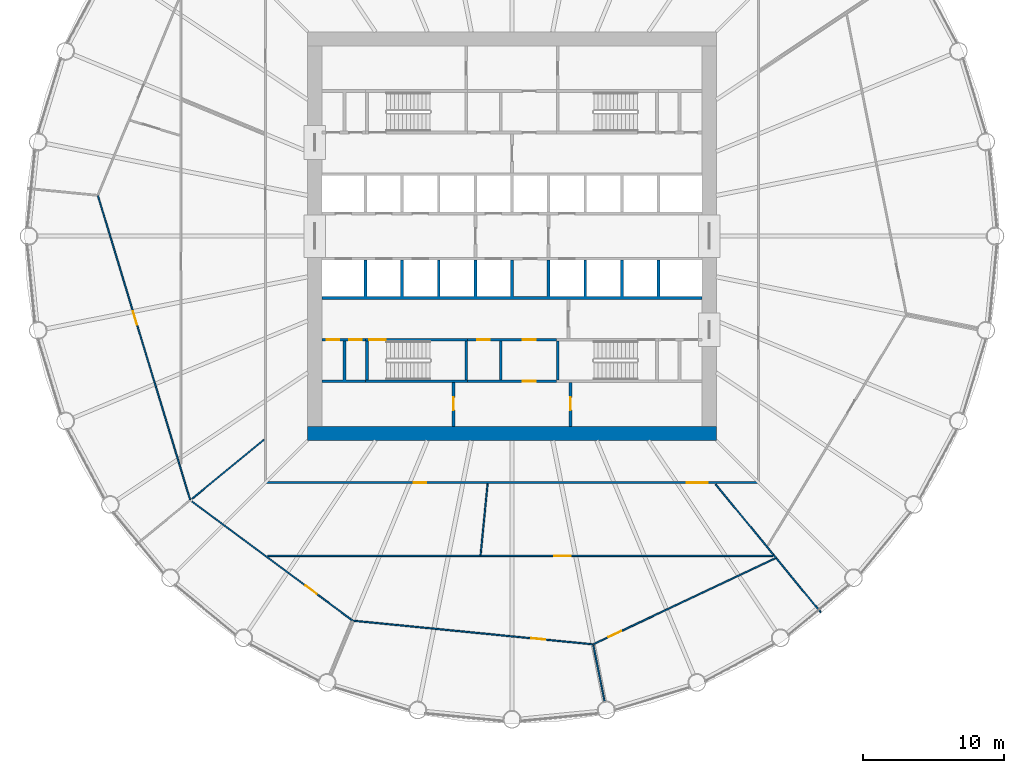
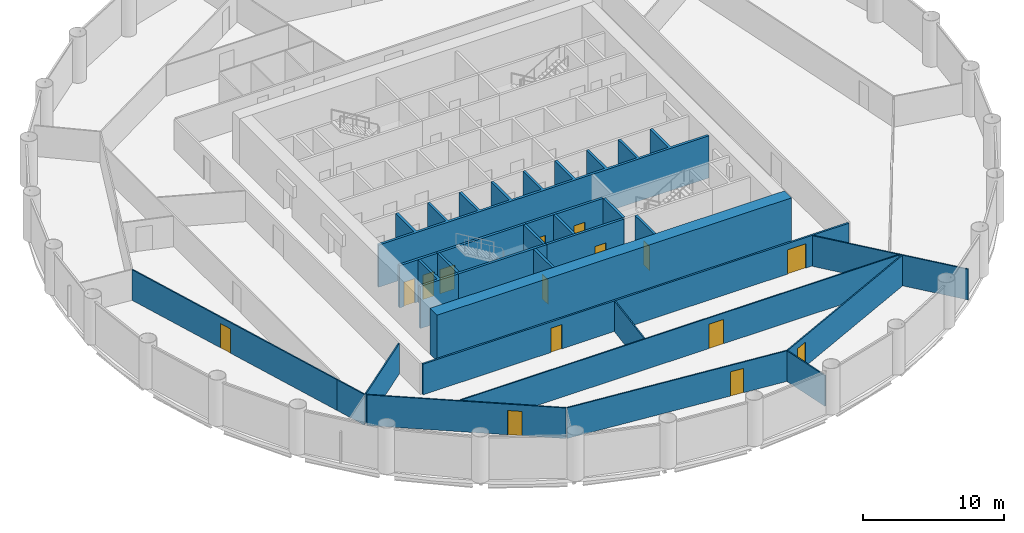
# One storey, part 4 of 8: 27 walls, 15 doors, 15 openings.
"""IFC4 building model written with IfcOpenShell, lengths in metres."""

from ifc_helpers import new_model, si_unit, direction, frame, frame_2d, origin, place, context, subcontext, project, spatial, polyline, rectangle, outline, extrude, material, layer, layer_set, type_object, element, fill, save


model = new_model("IFC4")

# Units and contexts
model_context = context("Model", 3, precision=1e-05, world=origin(), true_north=direction((0.0, 1.0)))
body_context = subcontext(model_context, "Body", "Model", "MODEL_VIEW")
ifc_project = project(units=[si_unit("LENGTHUNIT", "METRE"), si_unit("AREAUNIT", "SQUARE_METRE"), si_unit("VOLUMEUNIT", "CUBIC_METRE"), si_unit("PLANEANGLEUNIT", "RADIAN"), si_unit("MASSUNIT", "GRAM", prefix="KILO")], contexts=[model_context])

# Site, building, storey
site_placement = place(None, origin())
site = spatial("IfcSite", under=ifc_project, at=site_placement, CompositionType="ELEMENT")
building_placement = place(site_placement, origin())
building = spatial("IfcBuilding", under=site, at=building_placement, Name="Corvane Civic Tower", CompositionType="ELEMENT")
storey_placement = place(building_placement, frame((0.0, 0.0, 134.5)))
storey = spatial("IfcBuildingStorey", under=building, at=storey_placement, Name="L31", CompositionType="ELEMENT", Elevation=134.5)

# Wall
ifc_material_1 = material(Name="Concrete C70/85", Category="concrete")
ifc_layer_1 = layer(ifc_material_1, 1.0)
ifc_layer_set_1 = layer_set([ifc_layer_1], Name="Concrete C70/85")
wall_type_1 = type_object("IfcWallType", Name="CORE WALL 1000 C70/85", PredefinedType="SHEAR", material=ifc_layer_set_1)
wall_1_placement = place(storey_placement, frame((-14.5, -14.0, 0.0), z_axis=(0.0, 0.0, 1.0), x_axis=(1.0, 0.0, 0.0)))
element("IfcWall", 1, at=wall_1_placement, inside=storey, type_object=wall_type_1, Name="W-L31-core-S", PredefinedType="SHEAR", context=body_context, shape_type="SweptSolid", body=[
    extrude(rectangle(XDim=29.0, YDim=1.0, at=frame_2d((14.5, 0.0))), origin(), (0.0, 0.0, 1.0), 4.0),
])

# Wall, opening, door
ifc_material_2 = material(Name="Concrete C30/37", Category="concrete")
ifc_layer_2 = layer(ifc_material_2, 0.199951171875)
ifc_layer_set_2 = layer_set([ifc_layer_2], Name="Concrete C30/37")
wall_type_2 = type_object("IfcWallType", Name="CR-WALL-200", PredefinedType="PARTITIONING", material=ifc_layer_set_2)
wall_2_placement = place(storey_placement, frame((-3.14990234375, -10.300048828125, 0.0), z_axis=(0.0, 0.0, 1.0), x_axis=(1.0, 0.0, 0.0)))
wall_2 = element("IfcWall", 2, at=wall_2_placement, inside=storey, type_object=wall_type_2, Name="L31 partition wall", PredefinedType="PARTITIONING", context=body_context, shape_type="SweptSolid", body=[
    extrude(rectangle(XDim=6.2998046875, YDim=0.199951171875, at=frame_2d((3.14990234375, 0.0))), origin(), (0.0, 0.0, 1.0), 3.64990234375),
])
opening_1_placement = place(wall_2_placement, frame((3.925048828125, 0.0, 0.0)))
opening_1 = element("IfcOpeningElement", 3, at=opening_1_placement, cuts=wall_2, Name="Opening L31.C10", PredefinedType="OPENING", context=body_context, shape_type="SweptSolid", body=[
    extrude(rectangle(XDim=0.89990234375, YDim=2.10009765625, at=frame_2d((0.449951171875, 1.050048828125))), frame((0.0, 0.10986328125, 0.0), z_axis=(0.0, -1.0, 0.0), x_axis=(1.0, 0.0, 0.0)), (0.0, 0.0, 1.0), 0.219970703125),
])
ifc_material_3 = material(Name="Steel fire door leaf", Category="steel")
door_type_1 = type_object("IfcDoorType", Name="CR-DOOR-900", OperationType="SINGLE_SWING_LEFT", PredefinedType="DOOR", material=ifc_material_3)
door_1_placement = place(opening_1_placement, origin())
door_1 = element("IfcDoor", 4, at=door_1_placement, inside=storey, type_object=door_type_1, Name="L31 door", OperationType="SINGLE_SWING_LEFT", OverallHeight=2.10009765625, OverallWidth=0.89990234375, PredefinedType="DOOR", context=body_context, shape_type="SweptSolid", body=[
    extrude(rectangle(XDim=0.89990234375, YDim=2.10009765625, at=frame_2d((0.449951171875, 1.050048828125))), frame((0.0, 0.02490234375, 0.0), z_axis=(0.0, -1.0, 0.0), x_axis=(1.0, 0.0, 0.0)), (0.0, 0.0, 1.0), 0.050048828125),
])
fill(opening_1, door_1)

# Wall, openings, doors
wall_3_placement = place(storey_placement, frame((-13.5, -7.35009765625, 0.0), z_axis=(0.0, 0.0, 1.0), x_axis=(1.0, 0.0, 0.0)))
wall_3 = element("IfcWall", 5, at=wall_3_placement, inside=storey, type_object=wall_type_2, Name="L31 core partition wall", PredefinedType="PARTITIONING", context=body_context, shape_type="SweptSolid", body=[
    extrude(rectangle(XDim=3.10009765625, YDim=0.199951171875, at=frame_2d((1.550048828125, 0.0))), origin(), (0.0, 0.0, 1.0), 3.64990234375),
])
opening_2_placement = place(wall_3_placement, frame((0.35009765625, 0.0, 0.0)))
opening_2 = element("IfcOpeningElement", 6, at=opening_2_placement, cuts=wall_3, Name="Opening L31.C14", PredefinedType="OPENING", context=body_context, shape_type="SweptSolid", body=[
    extrude(rectangle(XDim=0.89990234375, YDim=2.10009765625, at=frame_2d((0.449951171875, 1.050048828125))), frame((0.0, 0.10986328125, 0.0), z_axis=(0.0, -1.0, 0.0), x_axis=(1.0, 0.0, 0.0)), (0.0, 0.0, 1.0), 0.219970703125),
])
opening_3_placement = place(wall_3_placement, frame((1.949951171875, 0.0, 0.0)))
opening_3 = element("IfcOpeningElement", 7, at=opening_3_placement, cuts=wall_3, Name="Opening L31.C15", PredefinedType="OPENING", context=body_context, shape_type="SweptSolid", body=[
    extrude(rectangle(XDim=0.89990234375, YDim=2.10009765625, at=frame_2d((0.449951171875, 1.050048828125))), frame((0.0, 0.10986328125, 0.0), z_axis=(0.0, -1.0, 0.0), x_axis=(1.0, 0.0, 0.0)), (0.0, 0.0, 1.0), 0.219970703125),
])
door_2_placement = place(opening_2_placement, origin())
door_2 = element("IfcDoor", 8, at=door_2_placement, inside=storey, type_object=door_type_1, Name="L31 door", OperationType="SINGLE_SWING_LEFT", OverallHeight=2.10009765625, OverallWidth=0.89990234375, PredefinedType="DOOR", context=body_context, shape_type="SweptSolid", body=[
    extrude(rectangle(XDim=0.89990234375, YDim=2.10009765625, at=frame_2d((0.449951171875, 1.050048828125))), frame((0.0, 0.02490234375, 0.0), z_axis=(0.0, -1.0, 0.0), x_axis=(1.0, 0.0, 0.0)), (0.0, 0.0, 1.0), 0.050048828125),
])
fill(opening_2, door_2)
door_3_placement = place(opening_3_placement, origin())
door_3 = element("IfcDoor", 9, at=door_3_placement, inside=storey, type_object=door_type_1, Name="L31 door", OperationType="SINGLE_SWING_LEFT", OverallHeight=2.10009765625, OverallWidth=0.89990234375, PredefinedType="DOOR", context=body_context, shape_type="SweptSolid", body=[
    extrude(rectangle(XDim=0.89990234375, YDim=2.10009765625, at=frame_2d((0.449951171875, 1.050048828125))), frame((0.0, 0.02490234375, 0.0), z_axis=(0.0, -1.0, 0.0), x_axis=(1.0, 0.0, 0.0)), (0.0, 0.0, 1.0), 0.050048828125),
])
fill(opening_3, door_3)

wall_4_placement = place(storey_placement, frame((-3.14990234375, -7.35009765625, 0.0), z_axis=(0.0, 0.0, 1.0), x_axis=(1.0, 0.0, 0.0)))
wall_4 = element("IfcWall", 10, at=wall_4_placement, inside=storey, type_object=wall_type_2, Name="L31 core partition wall", PredefinedType="PARTITIONING", context=body_context, shape_type="SweptSolid", body=[
    extrude(rectangle(XDim=6.2998046875, YDim=0.199951171875, at=frame_2d((3.14990234375, 0.0))), origin(), (0.0, 0.0, 1.0), 3.64990234375),
])
opening_4_placement = place(wall_4_placement, frame((0.675048828125, 0.0, 0.0)))
opening_4 = element("IfcOpeningElement", 11, at=opening_4_placement, cuts=wall_4, Name="Opening L31.C04", PredefinedType="OPENING", context=body_context, shape_type="SweptSolid", body=[
    extrude(rectangle(XDim=0.89990234375, YDim=2.10009765625, at=frame_2d((0.449951171875, 1.050048828125))), frame((0.0, 0.10986328125, 0.0), z_axis=(0.0, -1.0, 0.0), x_axis=(1.0, 0.0, 0.0)), (0.0, 0.0, 1.0), 0.219970703125),
])
opening_5_placement = place(wall_4_placement, frame((3.925048828125, 0.0, 0.0)))
opening_5 = element("IfcOpeningElement", 12, at=opening_5_placement, cuts=wall_4, Name="Opening L31.C05", PredefinedType="OPENING", context=body_context, shape_type="SweptSolid", body=[
    extrude(rectangle(XDim=0.89990234375, YDim=2.10009765625, at=frame_2d((0.449951171875, 1.050048828125))), frame((0.0, 0.10986328125, 0.0), z_axis=(0.0, -1.0, 0.0), x_axis=(1.0, 0.0, 0.0)), (0.0, 0.0, 1.0), 0.219970703125),
])
door_4_placement = place(opening_4_placement, origin())
door_4 = element("IfcDoor", 13, at=door_4_placement, inside=storey, type_object=door_type_1, Name="L31 door", OperationType="SINGLE_SWING_LEFT", OverallHeight=2.10009765625, OverallWidth=0.89990234375, PredefinedType="DOOR", context=body_context, shape_type="SweptSolid", body=[
    extrude(rectangle(XDim=0.89990234375, YDim=2.10009765625, at=frame_2d((0.449951171875, 1.050048828125))), frame((0.0, 0.02490234375, 0.0), z_axis=(0.0, -1.0, 0.0), x_axis=(1.0, 0.0, 0.0)), (0.0, 0.0, 1.0), 0.050048828125),
])
fill(opening_4, door_4)
door_5_placement = place(opening_5_placement, origin())
door_5 = element("IfcDoor", 14, at=door_5_placement, inside=storey, type_object=door_type_1, Name="L31 door", OperationType="SINGLE_SWING_LEFT", OverallHeight=2.10009765625, OverallWidth=0.89990234375, PredefinedType="DOOR", context=body_context, shape_type="SweptSolid", body=[
    extrude(rectangle(XDim=0.89990234375, YDim=2.10009765625, at=frame_2d((0.449951171875, 1.050048828125))), frame((0.0, 0.02490234375, 0.0), z_axis=(0.0, -1.0, 0.0), x_axis=(1.0, 0.0, 0.0)), (0.0, 0.0, 1.0), 0.050048828125),
])
fill(opening_5, door_5)

# Wall, opening, door
wall_5_placement = place(storey_placement, frame((-4.14990234375, -13.5, 0.0), z_axis=(0.0, 0.0, 1.0), x_axis=(0.0, 1.0, 0.0)))
wall_5 = element("IfcWall", 15, at=wall_5_placement, inside=storey, type_object=wall_type_2, Name="L31 partition wall", PredefinedType="PARTITIONING", context=body_context, shape_type="SweptSolid", body=[
    extrude(rectangle(XDim=3.10009765625, YDim=0.199951171875, at=frame_2d((1.550048828125, 0.0))), origin(), (0.0, 0.0, 1.0), 3.64990234375),
])
opening_6_placement = place(wall_5_placement, frame((1.14990234375, 0.0, 0.0)))
opening_6 = element("IfcOpeningElement", 16, at=opening_6_placement, cuts=wall_5, Name="Opening L31.C09", PredefinedType="OPENING", context=body_context, shape_type="SweptSolid", body=[
    extrude(rectangle(XDim=0.89990234375, YDim=2.10009765625, at=frame_2d((0.449951171875, 1.050048828125))), frame((0.0, 0.10986328125, 0.0), z_axis=(0.0, -1.0, 0.0), x_axis=(1.0, 0.0, 0.0)), (0.0, 0.0, 1.0), 0.219970703125),
])
door_6_placement = place(opening_6_placement, origin())
door_6 = element("IfcDoor", 17, at=door_6_placement, inside=storey, type_object=door_type_1, Name="L31 door", OperationType="SINGLE_SWING_LEFT", OverallHeight=2.10009765625, OverallWidth=0.89990234375, PredefinedType="DOOR", context=body_context, shape_type="SweptSolid", body=[
    extrude(rectangle(XDim=0.89990234375, YDim=2.10009765625, at=frame_2d((0.449951171875, 1.050048828125))), frame((0.0, 0.02490234375, 0.0), z_axis=(0.0, -1.0, 0.0), x_axis=(1.0, 0.0, 0.0)), (0.0, 0.0, 1.0), 0.050048828125),
])
fill(opening_6, door_6)

wall_6_placement = place(storey_placement, frame((4.14990234375, -13.5, 0.0), z_axis=(0.0, 0.0, 1.0), x_axis=(0.0, 1.0, 0.0)))
wall_6 = element("IfcWall", 18, at=wall_6_placement, inside=storey, type_object=wall_type_2, Name="L31 partition wall", PredefinedType="PARTITIONING", context=body_context, shape_type="SweptSolid", body=[
    extrude(rectangle(XDim=3.10009765625, YDim=0.199951171875, at=frame_2d((1.550048828125, 0.0))), origin(), (0.0, 0.0, 1.0), 3.64990234375),
])
opening_7_placement = place(wall_6_placement, frame((1.14990234375, 0.0, 0.0)))
opening_7 = element("IfcOpeningElement", 19, at=opening_7_placement, cuts=wall_6, Name="Opening L31.C11", PredefinedType="OPENING", context=body_context, shape_type="SweptSolid", body=[
    extrude(rectangle(XDim=0.89990234375, YDim=2.10009765625, at=frame_2d((0.449951171875, 1.050048828125))), frame((0.0, 0.10986328125, 0.0), z_axis=(0.0, -1.0, 0.0), x_axis=(1.0, 0.0, 0.0)), (0.0, 0.0, 1.0), 0.219970703125),
])
door_7_placement = place(opening_7_placement, origin())
door_7 = element("IfcDoor", 20, at=door_7_placement, inside=storey, type_object=door_type_1, Name="L31 door", OperationType="SINGLE_SWING_LEFT", OverallHeight=2.10009765625, OverallWidth=0.89990234375, PredefinedType="DOOR", context=body_context, shape_type="SweptSolid", body=[
    extrude(rectangle(XDim=0.89990234375, YDim=2.10009765625, at=frame_2d((0.449951171875, 1.050048828125))), frame((0.0, 0.02490234375, 0.0), z_axis=(0.0, -1.0, 0.0), x_axis=(1.0, 0.0, 0.0)), (0.0, 0.0, 1.0), 0.050048828125),
])
fill(opening_7, door_7)

# Walls
wall_7_placement = place(storey_placement, origin())
element("IfcWall", 21, at=wall_7_placement, inside=storey, type_object=wall_type_2, Name="L31 core partition wall", PredefinedType="PARTITIONING", context=body_context, shape_type="SweptSolid", body=[
    extrude(outline(polyline([(-12.0, -7.449951171875), (-11.800048828125, -7.449951171875), (-11.800048828125, -10.199951171875), (-10.39990234375, -10.199951171875), (-10.39990234375, -10.39990234375), (-13.5, -10.39990234375), (-13.5, -10.199951171875), (-12.0, -10.199951171875), (-12.0, -7.449951171875)])), origin(), (0.0, 0.0, 1.0), 3.64990234375),
])
wall_8_placement = place(storey_placement, origin())
element("IfcWall", 22, at=wall_8_placement, inside=storey, type_object=wall_type_2, Name="L31 core partition wall", PredefinedType="PARTITIONING", context=body_context, shape_type="SweptSolid", body=[
    extrude(outline(polyline([(-0.699951171875, -10.199951171875), (-0.89990234375, -10.199951171875), (-0.89990234375, -7.449951171875), (-0.699951171875, -7.449951171875), (-0.699951171875, -10.199951171875)])), origin(), (0.0, 0.0, 1.0), 3.64990234375),
])
wall_9_placement = place(storey_placement, origin())
element("IfcWall", 23, at=wall_9_placement, inside=storey, type_object=wall_type_2, Name="L31 core partition wall", PredefinedType="PARTITIONING", context=body_context, shape_type="SweptSolid", body=[
    extrude(outline(polyline([(-10.300048828125, -1.699951171875), (-10.300048828125, -4.300048828125), (-7.89990234375, -4.300048828125), (-7.89990234375, -1.699951171875), (-7.699951171875, -1.699951171875), (-7.699951171875, -4.300048828125), (-5.300048828125, -4.300048828125), (-5.300048828125, -1.699951171875), (-5.10009765625, -1.699951171875), (-5.10009765625, -4.300048828125), (-2.699951171875, -4.300048828125), (-2.699951171875, -1.699951171875), (-2.5, -1.699951171875), (-2.5, -4.300048828125), (-0.10009765625, -4.300048828125), (-0.10009765625, -1.699951171875), (0.10009765625, -1.699951171875), (0.10009765625, -4.300048828125), (2.5, -4.300048828125), (2.5, -1.699951171875), (2.699951171875, -1.699951171875), (2.699951171875, -4.300048828125), (5.10009765625, -4.300048828125), (5.10009765625, -1.699951171875), (5.300048828125, -1.699951171875), (5.300048828125, -4.300048828125), (7.699951171875, -4.300048828125), (7.699951171875, -1.699951171875), (7.89990234375, -1.699951171875), (7.89990234375, -4.300048828125), (10.300048828125, -4.300048828125), (10.300048828125, -1.699951171875), (10.5, -1.699951171875), (10.5, -4.300048828125), (13.5, -4.300048828125), (13.5, -4.5), (-13.5, -4.5), (-13.5, -4.300048828125), (-10.5, -4.300048828125), (-10.5, -1.699951171875), (-10.300048828125, -1.699951171875)])), origin(), (0.0, 0.0, 1.0), 3.64990234375),
])
ifc_material_4 = material(Name="Plasterboard")
ifc_layer_3 = layer(ifc_material_4, 0.10009765625)
ifc_layer_set_3 = layer_set([ifc_layer_3], Name="Plasterboard")
wall_type_3 = type_object("IfcWallType", Name="Partition 100 plasterboard on studs", PredefinedType="PARTITIONING", material=ifc_layer_set_3)
wall_10_placement = place(storey_placement, frame((5.771484375, -29.014892578125, 0.0), z_axis=(0.0, 0.0, 1.0), x_axis=(0.195057749927, -0.980791758832, 0.0)))
element("IfcWall", 24, at=wall_10_placement, inside=storey, type_object=wall_type_3, Name="Partition L31.001", PredefinedType="PARTITIONING", context=body_context, shape_type="SweptSolid", body=[
    extrude(rectangle(XDim=4.08154296875, YDim=0.10009765625, at=frame_2d((2.040771484375, 0.0))), origin(), (0.0, 0.0, 1.0), 2.64990234375),
])

# Wall, opening, door
wall_11_placement = place(storey_placement, frame((-11.269287109375, -27.299072265625, 0.0), z_axis=(0.0, 0.0, 1.0), x_axis=(0.99518553198, -0.098008963561, 0.0)))
wall_11 = element("IfcWall", 25, at=wall_11_placement, inside=storey, type_object=wall_type_3, Name="Partition L31.003", PredefinedType="PARTITIONING", context=body_context, shape_type="SweptSolid", body=[
    extrude(rectangle(XDim=17.078369140625, YDim=0.10009765625, at=frame_2d((8.5390625, 0.0))), origin(), (0.0, 0.0, 1.0), 2.64990234375),
])
opening_8_placement = place(wall_11_placement, frame((12.704833984375, 0.0, 0.0)))
opening_8 = element("IfcOpeningElement", 26, at=opening_8_placement, cuts=wall_11, Name="Opening L31.007", PredefinedType="OPENING", context=body_context, shape_type="SweptSolid", body=[
    extrude(rectangle(XDim=1.0, YDim=2.10009765625, at=frame_2d((0.5, 1.050048828125))), frame((0.0, 0.06005859375, 0.0), z_axis=(0.0, -1.0, 0.0), x_axis=(1.0, 0.0, 0.0)), (0.0, 0.0, 1.0), 0.1201171875),
])
ifc_material_5 = material(Name="Timber", Category="wood")
door_type_2 = type_object("IfcDoorType", Name="Single door 1000", OperationType="NOTDEFINED", PredefinedType="DOOR", material=ifc_material_5)
door_8_placement = place(opening_8_placement, frame((1.0, 0.0, 0.0), z_axis=(0.0, 0.0, 1.0), x_axis=(-1.0, 0.0, 0.0)))
door_8 = element("IfcDoor", 27, at=door_8_placement, inside=storey, type_object=door_type_2, Name="Door L31.007", OperationType="SINGLE_SWING_LEFT", OverallHeight=2.10009765625, OverallWidth=1.0, PredefinedType="DOOR", context=body_context, shape_type="SweptSolid", body=[
    extrude(rectangle(XDim=1.0, YDim=2.10009765625, at=frame_2d((0.5, 1.050048828125))), frame((0.0, 0.02490234375, 0.0), z_axis=(0.0, -1.0, 0.0), x_axis=(1.0, 0.0, 0.0)), (0.0, 0.0, 1.0), 0.050048828125),
])
fill(opening_8, door_8)

wall_12_placement = place(storey_placement, frame((5.799072265625, -28.959716796875, 0.0), z_axis=(0.0, 0.0, 1.0), x_axis=(0.903994830747, 0.427543384912, 0.0)))
wall_12 = element("IfcWall", 28, at=wall_12_placement, inside=storey, type_object=wall_type_3, Name="Partition L31.004", PredefinedType="PARTITIONING", context=body_context, shape_type="SweptSolid", body=[
    extrude(rectangle(XDim=14.2666015625, YDim=0.10009765625, at=frame_2d((7.13330078125, 0.0))), origin(), (0.0, 0.0, 1.0), 2.64990234375),
])
opening_9_placement = place(wall_12_placement, frame((1.166748046875, 0.0, 0.0)))
opening_9 = element("IfcOpeningElement", 29, at=opening_9_placement, cuts=wall_12, Name="Opening L31.006", PredefinedType="OPENING", context=body_context, shape_type="SweptSolid", body=[
    extrude(rectangle(XDim=1.0, YDim=2.10009765625, at=frame_2d((0.5, 1.050048828125))), frame((0.0, 0.06005859375, 0.0), z_axis=(0.0, -1.0, 0.0), x_axis=(1.0, 0.0, 0.0)), (0.0, 0.0, 1.0), 0.1201171875),
])
door_9_placement = place(opening_9_placement, frame((1.0, 0.0, 0.0), z_axis=(0.0, 0.0, 1.0), x_axis=(-1.0, 0.0, 0.0)))
door_9 = element("IfcDoor", 30, at=door_9_placement, inside=storey, type_object=door_type_2, Name="Door L31.006", OperationType="SINGLE_SWING_LEFT", OverallHeight=2.10009765625, OverallWidth=1.0, PredefinedType="DOOR", context=body_context, shape_type="SweptSolid", body=[
    extrude(rectangle(XDim=1.0, YDim=2.10009765625, at=frame_2d((0.5, 1.050048828125))), frame((0.0, 0.02490234375, 0.0), z_axis=(0.0, -1.0, 0.0), x_axis=(1.0, 0.0, 0.0)), (0.0, 0.0, 1.0), 0.050048828125),
])
fill(opening_9, door_9)

wall_13_placement = place(storey_placement, frame((-22.7099609375, -18.837646484375, 0.0), z_axis=(0.0, 0.0, 1.0), x_axis=(0.803203948803, -0.595704135143, 0.0)))
wall_13 = element("IfcWall", 31, at=wall_13_placement, inside=storey, type_object=wall_type_3, Name="Partition L31.005", PredefinedType="PARTITIONING", context=body_context, shape_type="SweptSolid", body=[
    extrude(rectangle(XDim=14.158935546875, YDim=0.10009765625, at=frame_2d((7.07958984375, 0.0))), origin(), (0.0, 0.0, 1.0), 2.64990234375),
])
opening_10_placement = place(wall_13_placement, frame((10.01806640625, 0.0, 0.0)))
opening_10 = element("IfcOpeningElement", 32, at=opening_10_placement, cuts=wall_13, Name="Opening L31.008", PredefinedType="OPENING", context=body_context, shape_type="SweptSolid", body=[
    extrude(rectangle(XDim=1.0, YDim=2.10009765625, at=frame_2d((0.5, 1.050048828125))), frame((0.0, 0.06005859375, 0.0), z_axis=(0.0, -1.0, 0.0), x_axis=(1.0, 0.0, 0.0)), (0.0, 0.0, 1.0), 0.1201171875),
])
door_10_placement = place(opening_10_placement, frame((1.0, 0.0, 0.0), z_axis=(0.0, 0.0, 1.0), x_axis=(-1.0, 0.0, 0.0)))
door_10 = element("IfcDoor", 33, at=door_10_placement, inside=storey, type_object=door_type_2, Name="Door L31.008", OperationType="SINGLE_SWING_RIGHT", OverallHeight=2.10009765625, OverallWidth=1.0, PredefinedType="DOOR", context=body_context, shape_type="SweptSolid", body=[
    extrude(rectangle(XDim=1.0, YDim=2.10009765625, at=frame_2d((0.5, 1.050048828125))), frame((0.0, 0.02490234375, 0.0), z_axis=(0.0, -1.0, 0.0), x_axis=(1.0, 0.0, 0.0)), (0.0, 0.0, 1.0), 0.050048828125),
])
fill(opening_10, door_10)

# Wall
wall_14_placement = place(storey_placement, frame((18.767578125, -22.8681640625, 0.0), z_axis=(0.0, 0.0, 1.0), x_axis=(0.63436933627, -0.77303010627, 0.0)))
element("IfcWall", 34, at=wall_14_placement, inside=storey, type_object=wall_type_3, Name="Partition L31.006", PredefinedType="PARTITIONING", context=body_context, shape_type="SweptSolid", body=[
    extrude(rectangle(XDim=4.967041015625, YDim=0.10009765625, at=frame_2d((2.4833984375, 0.0))), origin(), (0.0, 0.0, 1.0), 2.64990234375),
])

# Wall, opening, door
wall_15_placement = place(storey_placement, frame((-17.350830078125, -22.699951171875, 0.0), z_axis=(0.0, 0.0, 1.0), x_axis=(1.0, 0.0, 0.0)))
wall_15 = element("IfcWall", 35, at=wall_15_placement, inside=storey, type_object=wall_type_3, Name="Partition L31.007", PredefinedType="PARTITIONING", context=body_context, shape_type="SweptSolid", body=[
    extrude(rectangle(XDim=35.87451171875, YDim=0.10009765625, at=frame_2d((17.937255859375, 0.0))), origin(), (0.0, 0.0, 1.0), 2.64990234375),
])
opening_11_placement = place(wall_15_placement, frame((20.333984375, 0.0, 0.0)))
opening_11 = element("IfcOpeningElement", 36, at=opening_11_placement, cuts=wall_15, Name="Opening L31.009", PredefinedType="OPENING", context=body_context, shape_type="SweptSolid", body=[
    extrude(rectangle(XDim=1.199951171875, YDim=2.10009765625, at=frame_2d((0.60009765625, 1.050048828125))), frame((0.0, 0.06005859375, 0.0), z_axis=(0.0, -1.0, 0.0), x_axis=(1.0, 0.0, 0.0)), (0.0, 0.0, 1.0), 0.1201171875),
])
ifc_material_6 = material(Name="Timber", Category="wood")
door_type_3 = type_object("IfcDoorType", Name="Double door 1200", OperationType="NOTDEFINED", PredefinedType="DOOR", material=ifc_material_6)
door_11_placement = place(opening_11_placement, frame((1.199951171875, 0.0, 0.0), z_axis=(0.0, 0.0, 1.0), x_axis=(-1.0, 0.0, 0.0)))
door_11 = element("IfcDoor", 37, at=door_11_placement, inside=storey, type_object=door_type_3, Name="Door L31.009", OperationType="DOUBLE_DOOR_SINGLE_SWING", OverallHeight=2.10009765625, OverallWidth=1.199951171875, PredefinedType="DOOR", context=body_context, shape_type="SweptSolid", body=[
    extrude(rectangle(XDim=1.199951171875, YDim=2.10009765625, at=frame_2d((0.60009765625, 1.050048828125))), frame((0.0, 0.02490234375, 0.0), z_axis=(0.0, -1.0, 0.0), x_axis=(1.0, 0.0, 0.0)), (0.0, 0.0, 1.0), 0.050048828125),
])
fill(opening_11, door_11)

# Walls
wall_16_placement = place(storey_placement, frame((-2.230224609375, -22.64501953125, 0.0), z_axis=(0.0, 0.0, 1.0), x_axis=(0.097998083138, 0.995186603458, 0.0)))
element("IfcWall", 38, at=wall_16_placement, inside=storey, type_object=wall_type_3, Name="Partition L31.008", PredefinedType="PARTITIONING", context=body_context, shape_type="SweptSolid", body=[
    extrude(rectangle(XDim=5.089599609375, YDim=0.10009765625, at=frame_2d((2.544921875, 0.0))), origin(), (0.0, 0.0, 1.0), 2.64990234375),
])
wall_17_placement = place(storey_placement, frame((14.449462890625, -17.606689453125, 0.0), z_axis=(0.0, 0.0, 1.0), x_axis=(0.634373162363, -0.77302696646, 0.0)))
element("IfcWall", 39, at=wall_17_placement, inside=storey, type_object=wall_type_3, Name="Partition L31.009", PredefinedType="PARTITIONING", context=body_context, shape_type="SweptSolid", body=[
    extrude(rectangle(XDim=6.483154296875, YDim=0.10009765625, at=frame_2d((3.24169921875, 0.0))), origin(), (0.0, 0.0, 1.0), 2.64990234375),
])
wall_18_placement = place(storey_placement, frame((-23.6162109375, -16.177490234375, 0.0), z_axis=(0.0, 0.0, 1.0), x_axis=(0.290240321549, -0.956953789766, 0.0)))
element("IfcWall", 40, at=wall_18_placement, inside=storey, type_object=wall_type_3, Name="Partition L31.012", PredefinedType="PARTITIONING", context=body_context, shape_type="SweptSolid", body=[
    extrude(rectangle(XDim=2.647216796875, YDim=0.10009765625, at=frame_2d((1.32373046875, 0.0))), origin(), (0.0, 0.0, 1.0), 2.64990234375),
])
wall_19_placement = place(storey_placement, frame((-22.7099609375, -18.6376953125, 0.0), z_axis=(0.0, 0.0, 1.0), x_axis=(0.773004083678, 0.634401045567, 0.0)))
element("IfcWall", 41, at=wall_19_placement, inside=storey, type_object=wall_type_3, Name="Partition L31.013", PredefinedType="PARTITIONING", context=body_context, shape_type="SweptSolid", body=[
    extrude(rectangle(XDim=6.601806640625, YDim=0.10009765625, at=frame_2d((3.30078125, 0.0))), origin(), (0.0, 0.0, 1.0), 2.64990234375),
])

# Wall, opening, door
wall_20_placement = place(storey_placement, frame((-29.39208984375, 2.864013671875, 0.0), z_axis=(0.0, 0.0, 1.0), x_axis=(0.290270955878, -0.956944497959, 0.0)))
wall_20 = element("IfcWall", 42, at=wall_20_placement, inside=storey, type_object=wall_type_3, Name="Partition L31.017", PredefinedType="PARTITIONING", context=body_context, shape_type="SweptSolid", body=[
    extrude(rectangle(XDim=19.898193359375, YDim=0.10009765625, at=frame_2d((9.94921875, 0.0))), origin(), (0.0, 0.0, 1.0), 2.64990234375),
])
opening_12_placement = place(wall_20_placement, frame((8.569580078125, 0.0, 0.0)))
opening_12 = element("IfcOpeningElement", 43, at=opening_12_placement, cuts=wall_20, Name="Opening L31.012", PredefinedType="OPENING", context=body_context, shape_type="SweptSolid", body=[
    extrude(rectangle(XDim=1.0, YDim=2.10009765625, at=frame_2d((0.5, 1.050048828125))), frame((0.0, 0.06005859375, 0.0), z_axis=(0.0, -1.0, 0.0), x_axis=(1.0, 0.0, 0.0)), (0.0, 0.0, 1.0), 0.1201171875),
])
door_12_placement = place(opening_12_placement, frame((1.0, 0.0, 0.0), z_axis=(0.0, 0.0, 1.0), x_axis=(-1.0, 0.0, 0.0)))
door_12 = element("IfcDoor", 44, at=door_12_placement, inside=storey, type_object=door_type_2, Name="Door L31.012", OperationType="SINGLE_SWING_LEFT", OverallHeight=2.10009765625, OverallWidth=1.0, PredefinedType="DOOR", context=body_context, shape_type="SweptSolid", body=[
    extrude(rectangle(XDim=1.0, YDim=2.10009765625, at=frame_2d((0.5, 1.050048828125))), frame((0.0, 0.02490234375, 0.0), z_axis=(0.0, -1.0, 0.0), x_axis=(1.0, 0.0, 0.0)), (0.0, 0.0, 1.0), 0.050048828125),
])
fill(opening_12, door_12)

# Wall
wall_21_placement = place(storey_placement, frame((18.562255859375, -22.618408203125, 0.0), z_axis=(0.0, 0.0, 1.0), x_axis=(0.635045327254, -0.772474874888, 0.0)))
element("IfcWall", 45, at=wall_21_placement, inside=storey, type_object=wall_type_3, Name="Partition L31.037", PredefinedType="PARTITIONING", context=body_context, shape_type="SweptSolid", body=[
    extrude(rectangle(XDim=0.3232421875, YDim=0.10009765625, at=frame_2d((0.16162109375, 0.0))), origin(), (0.0, 0.0, 1.0), 2.64990234375),
])

# Wall, opening, door
ifc_material_7 = material(Name="Concrete C50/60", Category="concrete")
ifc_layer_4 = layer(ifc_material_7, 0.199951171875)
ifc_layer_set_4 = layer_set([ifc_layer_4], Name="Concrete C50/60")
wall_type_4 = type_object("IfcWallType", Name="ST-WALL-200", PredefinedType="SHEAR", material=ifc_layer_set_4)
wall_22_placement = place(storey_placement, frame((-10.39990234375, -7.35009765625, 0.0), z_axis=(0.0, 0.0, 1.0), x_axis=(1.0, 0.0, 0.0)))
wall_22 = element("IfcWall", 46, at=wall_22_placement, inside=storey, type_object=wall_type_4, Name="L31 stair enclosure wall", PredefinedType="SHEAR", context=body_context, shape_type="SweptSolid", body=[
    extrude(rectangle(XDim=7.25, YDim=0.199951171875, at=frame_2d((3.625, 0.0))), origin(), (0.0, 0.0, 1.0), 3.64990234375),
])
opening_13_placement = place(wall_22_placement, frame((0.25, 0.0, 0.0)))
opening_13 = element("IfcOpeningElement", 47, at=opening_13_placement, cuts=wall_22, Name="Opening L31.C23", PredefinedType="OPENING", context=body_context, shape_type="SweptSolid", body=[
    extrude(rectangle(XDim=1.199951171875, YDim=2.10009765625, at=frame_2d((0.60009765625, 1.050048828125))), frame((0.0, 0.10986328125, 0.0), z_axis=(0.0, -1.0, 0.0), x_axis=(1.0, 0.0, 0.0)), (0.0, 0.0, 1.0), 0.219970703125),
])
ifc_material_8 = material(Name="Steel fire door leaf", Category="steel")
door_type_4 = type_object("IfcDoorType", Name="ST-DOOR-1200", OperationType="SINGLE_SWING_RIGHT", PredefinedType="DOOR", material=ifc_material_8)
door_13_placement = place(opening_13_placement, origin())
door_13 = element("IfcDoor", 48, at=door_13_placement, inside=storey, type_object=door_type_4, Name="L31 stair door", OperationType="SINGLE_SWING_RIGHT", OverallHeight=2.10009765625, OverallWidth=1.199951171875, PredefinedType="DOOR", context=body_context, shape_type="SweptSolid", body=[
    extrude(rectangle(XDim=1.199951171875, YDim=2.10009765625, at=frame_2d((0.60009765625, 1.050048828125))), frame((0.0, 0.02490234375, 0.0), z_axis=(0.0, -1.0, 0.0), x_axis=(1.0, 0.0, 0.0)), (0.0, 0.0, 1.0), 0.050048828125),
])
fill(opening_13, door_13)

# Walls
wall_23_placement = place(storey_placement, origin())
element("IfcWall", 49, at=wall_23_placement, inside=storey, type_object=wall_type_4, Name="L31 stair enclosure wall", PredefinedType="SHEAR", context=body_context, shape_type="SweptSolid", body=[
    extrude(outline(polyline([(-3.14990234375, -10.199951171875), (-3.14990234375, -10.39990234375), (-10.39990234375, -10.39990234375), (-10.39990234375, -10.199951171875), (-3.14990234375, -10.199951171875)])), origin(), (0.0, 0.0, 1.0), 3.64990234375),
])
wall_24_placement = place(storey_placement, origin())
element("IfcWall", 50, at=wall_24_placement, inside=storey, type_object=wall_type_4, Name="L31 stair enclosure wall", PredefinedType="SHEAR", context=body_context, shape_type="SweptSolid", body=[
    extrude(outline(polyline([(-3.14990234375, -7.449951171875), (-3.14990234375, -10.199951171875), (-3.35009765625, -10.199951171875), (-3.35009765625, -7.449951171875), (-3.14990234375, -7.449951171875)])), origin(), (0.0, 0.0, 1.0), 3.64990234375),
])
wall_25_placement = place(storey_placement, origin())
element("IfcWall", 51, at=wall_25_placement, inside=storey, type_object=wall_type_4, Name="L31 stair enclosure wall", PredefinedType="SHEAR", context=body_context, shape_type="SweptSolid", body=[
    extrude(outline(polyline([(3.35009765625, -7.449951171875), (3.35009765625, -10.199951171875), (3.14990234375, -10.199951171875), (3.14990234375, -7.449951171875), (3.35009765625, -7.449951171875)])), origin(), (0.0, 0.0, 1.0), 3.64990234375),
])
wall_26_placement = place(storey_placement, origin())
element("IfcWall", 52, at=wall_26_placement, inside=storey, type_object=wall_type_4, Name="L31 stair enclosure wall", PredefinedType="SHEAR", context=body_context, shape_type="SweptSolid", body=[
    extrude(outline(polyline([(-10.199951171875, -7.449951171875), (-10.199951171875, -10.199951171875), (-10.39990234375, -10.199951171875), (-10.39990234375, -7.449951171875), (-10.199951171875, -7.449951171875)])), origin(), (0.0, 0.0, 1.0), 3.64990234375),
])

# Wall, openings, doors
ifc_material_9 = material(Name="Plasterboard")
ifc_layer_5 = layer(ifc_material_9, 0.14990234375)
ifc_layer_set_5 = layer_set([ifc_layer_5], Name="Plasterboard")
wall_type_5 = type_object("IfcWallType", Name="Tenancy wall 150 EI 60", PredefinedType="PARTITIONING", material=ifc_layer_set_5)
wall_27_placement = place(storey_placement, frame((-17.425048828125, -17.5, 0.0), z_axis=(0.0, 0.0, 1.0), x_axis=(1.0, 0.0, 0.0)))
wall_27 = element("IfcWall", 53, at=wall_27_placement, inside=storey, type_object=wall_type_5, Name="Partition L31.014", PredefinedType="PARTITIONING", context=body_context, shape_type="SweptSolid", body=[
    extrude(rectangle(XDim=34.85009765625, YDim=0.14990234375, at=frame_2d((17.425048828125, 0.0))), origin(), (0.0, 0.0, 1.0), 2.64990234375),
])
opening_14_placement = place(wall_27_placement, frame((29.817626953125, 0.0, 0.0)))
opening_14 = element("IfcOpeningElement", 54, at=opening_14_placement, cuts=wall_27, Name="Opening L31.010", PredefinedType="OPENING", context=body_context, shape_type="SweptSolid", body=[
    extrude(rectangle(XDim=1.5, YDim=2.10009765625, at=frame_2d((0.75, 1.050048828125))), frame((0.0, 0.0849609375, 0.0), z_axis=(0.0, -1.0, 0.0), x_axis=(1.0, 0.0, 0.0)), (0.0, 0.0, 1.0), 0.169921875),
])
opening_15_placement = place(wall_27_placement, frame((10.4541015625, 0.0, 0.0)))
opening_15 = element("IfcOpeningElement", 55, at=opening_15_placement, cuts=wall_27, Name="Opening L31.011", PredefinedType="OPENING", context=body_context, shape_type="SweptSolid", body=[
    extrude(rectangle(XDim=0.89990234375, YDim=2.10009765625, at=frame_2d((0.449951171875, 1.050048828125))), frame((0.0, 0.0849609375, 0.0), z_axis=(0.0, -1.0, 0.0), x_axis=(1.0, 0.0, 0.0)), (0.0, 0.0, 1.0), 0.169921875),
])
ifc_material_10 = material(Name="Steel and timber", Category="steel")
door_type_5 = type_object("IfcDoorType", Name="Fire door FD30S 900", OperationType="NOTDEFINED", PredefinedType="DOOR", material=ifc_material_10)
door_14_placement = place(opening_15_placement, frame((0.89990234375, 0.0, 0.0), z_axis=(0.0, 0.0, 1.0), x_axis=(-1.0, 0.0, 0.0)))
door_14 = element("IfcDoor", 56, at=door_14_placement, inside=storey, type_object=door_type_5, Name="Door L31.011", OperationType="SINGLE_SWING_RIGHT", OverallHeight=2.10009765625, OverallWidth=0.89990234375, PredefinedType="DOOR", context=body_context, shape_type="SweptSolid", body=[
    extrude(rectangle(XDim=0.89990234375, YDim=2.10009765625, at=frame_2d((0.449951171875, 1.050048828125))), frame((0.0, 0.02490234375, 0.0), z_axis=(0.0, -1.0, 0.0), x_axis=(1.0, 0.0, 0.0)), (0.0, 0.0, 1.0), 0.050048828125),
])
fill(opening_15, door_14)
ifc_material_11 = material(Name="Steel and timber", Category="steel")
door_type_6 = type_object("IfcDoorType", Name="Fire door FD60 double 1500", OperationType="NOTDEFINED", PredefinedType="DOOR", material=ifc_material_11)
door_15_placement = place(opening_14_placement, frame((1.5, 0.0, 0.0), z_axis=(0.0, 0.0, 1.0), x_axis=(-1.0, 0.0, 0.0)))
door_15 = element("IfcDoor", 57, at=door_15_placement, inside=storey, type_object=door_type_6, Name="Door L31.010", OperationType="DOUBLE_DOOR_SINGLE_SWING", OverallHeight=2.10009765625, OverallWidth=1.5, PredefinedType="DOOR", context=body_context, shape_type="SweptSolid", body=[
    extrude(rectangle(XDim=1.5, YDim=2.10009765625, at=frame_2d((0.75, 1.050048828125))), frame((0.0, 0.02490234375, 0.0), z_axis=(0.0, -1.0, 0.0), x_axis=(1.0, 0.0, 0.0)), (0.0, 0.0, 1.0), 0.050048828125),
])
fill(opening_14, door_15)

save(model, "model.ifc")
